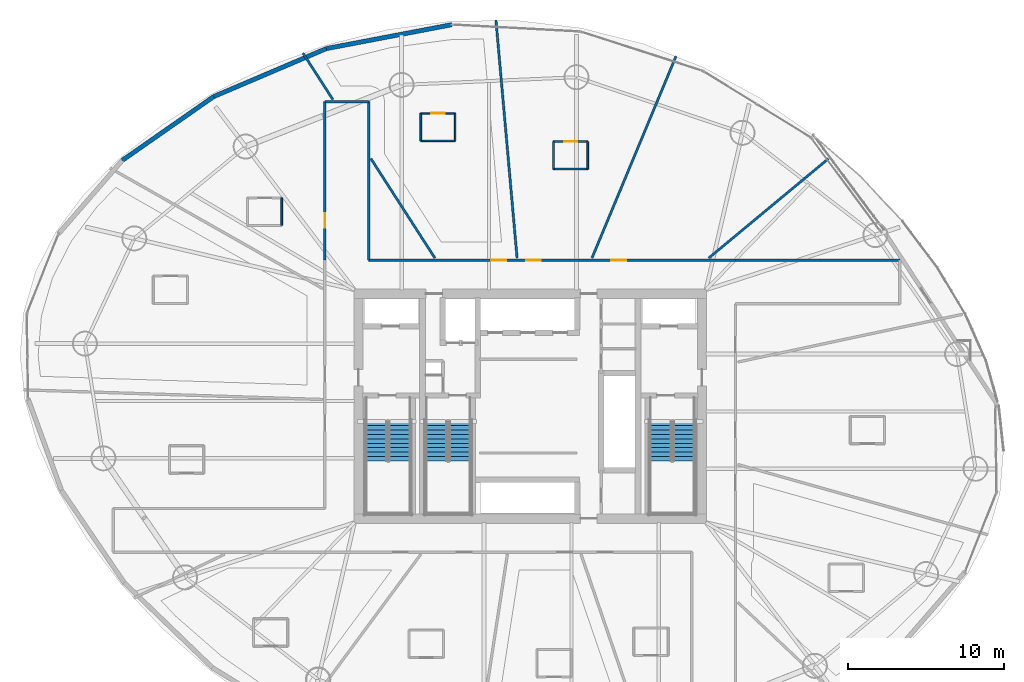
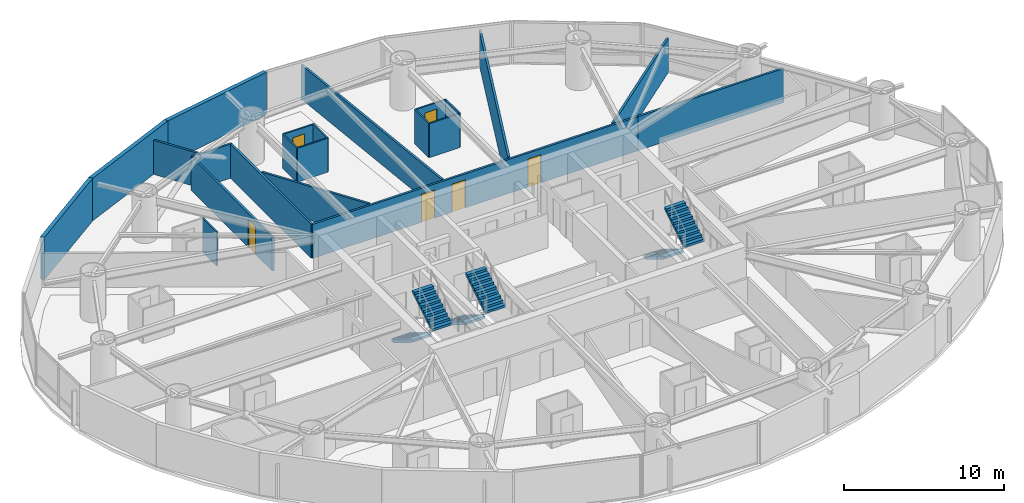
# One storey, part 22 of 26: 22 walls, 6 doors, 6 stair flights, 6 openings, 3 elements without a shape of their own.
"""IFC4 building model written with IfcOpenShell, lengths in metres."""

from ifc_helpers import new_model, si_unit, direction, frame, frame_2d, origin, place, context, subcontext, project, spatial, polyline, rectangle, outline, extrude, material, layer, layer_set, type_object, element, fill, aggregate, save


model = new_model("IFC4")

# Units and contexts
model_context = context("Model", 3, precision=1e-05, world=origin(), true_north=direction((0.0, 1.0)))
body_context = subcontext(model_context, "Body", "Model", "MODEL_VIEW")
ifc_project = project(units=[si_unit("LENGTHUNIT", "METRE"), si_unit("AREAUNIT", "SQUARE_METRE"), si_unit("VOLUMEUNIT", "CUBIC_METRE"), si_unit("PLANEANGLEUNIT", "RADIAN"), si_unit("MASSUNIT", "GRAM", prefix="KILO")], contexts=[model_context])

# Site, building, storey
site_placement = place(None, origin())
site = spatial("IfcSite", under=ifc_project, at=site_placement, CompositionType="ELEMENT")
building_placement = place(site_placement, origin())
building = spatial("IfcBuilding", under=site, at=building_placement, Name="Bramvorn Convention Spire", CompositionType="ELEMENT")
storey_placement = place(building_placement, frame((0.0, 0.0, 76.39990234375)))
storey = spatial("IfcBuildingStorey", under=building, at=storey_placement, Name="L17", CompositionType="ELEMENT", Elevation=76.39990234375)

# Walls
ifc_material_1 = material(Name="Precast Concrete C40/50 with Bronze Terracotta Rainscreen", Category="masonry")
ifc_layer_1 = layer(ifc_material_1, 0.300048828125)
ifc_layer_set_1 = layer_set([ifc_layer_1], Name="Precast Concrete C40/50 with Bronze Terracotta Rainscreen - WL-EXT-BRONZE-300")
wall_type_1 = type_object("IfcWallType", Name="WL-EXT-BRONZE-300", PredefinedType="SOLIDWALL", material=ifc_layer_set_1)
wall_1_placement = place(storey_placement, frame((24.94775390625, 48.904296875, 0.0), z_axis=(0.0, 0.0, 1.0), x_axis=(0.982368629085, 0.186954209872, 0.0)))
element("IfcWall", 1, at=wall_1_placement, inside=storey, type_object=wall_type_1, Name="L17 expressed bronze Gothic lancet pier wall 08", PredefinedType="SOLIDWALL", context=body_context, shape_type="SweptSolid", body=[
    extrude(rectangle(XDim=8.1708984375, YDim=0.280029296875, at=frame_2d((4.08544921875, 0.0))), origin(), (0.0, 0.0, 1.0), 3.25),
])
wall_2_placement = place(storey_placement, frame((17.730224609375, 45.83056640625, 0.0), z_axis=(0.0, 0.0, 1.0), x_axis=(0.92004247014, 0.391818648279, 0.0)))
element("IfcWall", 2, at=wall_2_placement, inside=storey, type_object=wall_type_1, Name="L17 expressed bronze Gothic lancet pier wall 09", PredefinedType="SOLIDWALL", context=body_context, shape_type="SweptSolid", body=[
    extrude(rectangle(XDim=7.8447265625, YDim=0.280029296875, at=frame_2d((3.92236328125, 0.0))), origin(), (0.0, 0.0, 1.0), 3.25),
])
wall_3_placement = place(storey_placement, frame((11.872802734375, 41.742431640625, 0.0), z_axis=(0.0, 0.0, 1.0), x_axis=(0.820024366598, 0.572328610315, 0.0)))
element("IfcWall", 3, at=wall_3_placement, inside=storey, type_object=wall_type_1, Name="L17 expressed bronze Gothic lancet pier wall 10", PredefinedType="SOLIDWALL", context=body_context, shape_type="SweptSolid", body=[
    extrude(rectangle(XDim=7.14306640625, YDim=0.280029296875, at=frame_2d((3.571533203125, 0.0))), origin(), (0.0, 0.0, 1.0), 3.25),
])
ifc_material_2 = material(Name="Lightweight En-Suite & Wet-Wall Partition", Category="gypsum")
ifc_layer_2 = layer(ifc_material_2, 0.110107421875)
ifc_layer_set_2 = layer_set([ifc_layer_2], Name="Lightweight En-Suite & Wet-Wall Partition - WL-PART-110")
wall_type_2 = type_object("IfcWallType", Name="WL-PART-110", PredefinedType="PARTITIONING", material=ifc_layer_set_2)
wall_4_placement = place(storey_placement, frame((39.485595703125, 41.190185546875, 0.0), z_axis=(0.0, 0.0, 1.0), x_axis=(1.0, 0.0, 0.0)))
element("IfcWall", 4, at=wall_4_placement, inside=storey, type_object=wall_type_2, Name="Hotel Suite 1703 en-suite south wall", PredefinedType="PARTITIONING", context=body_context, shape_type="SweptSolid", body=[
    extrude(rectangle(XDim=2.2001953125, YDim=0.110107421875, at=frame_2d((1.10009765625, 0.0))), origin(), (0.0, 0.0, 1.0), 2.60009765625),
])

# Wall, opening, door
wall_5_placement = place(storey_placement, frame((39.485595703125, 42.9501953125, 0.0), z_axis=(0.0, 0.0, 1.0), x_axis=(1.0, 0.0, 0.0)))
wall_5 = element("IfcWall", 5, at=wall_5_placement, inside=storey, type_object=wall_type_2, Name="Hotel Suite 1703 en-suite north wall", PredefinedType="PARTITIONING", context=body_context, shape_type="SweptSolid", body=[
    extrude(rectangle(XDim=2.2001953125, YDim=0.110107421875, at=frame_2d((1.10009765625, 0.0))), origin(), (0.0, 0.0, 1.0), 2.60009765625),
])
opening_1_placement = place(wall_5_placement, frame((0.679931640625, 0.0, 0.0)))
opening_1 = element("IfcOpeningElement", 6, at=opening_1_placement, cuts=wall_5, Name="Opening DI-085", PredefinedType="OPENING", context=body_context, shape_type="SweptSolid", body=[
    extrude(rectangle(XDim=0.85009765625, YDim=2.10009765625, at=frame_2d((0.425048828125, 1.050048828125))), frame((0.0, 0.06494140625, 0.0), z_axis=(0.0, -1.0, 0.0), x_axis=(1.0, 0.0, 0.0)), (0.0, 0.0, 1.0), 0.130126953125),
])
ifc_material_3 = material(Name="En-Suite & Restroom Privacy Door", Category="wood")
door_type_1 = type_object("IfcDoorType", Name="DR-INT-850", OperationType="NOTDEFINED", PredefinedType="DOOR", material=ifc_material_3)
door_1_placement = place(opening_1_placement, origin())
door_1 = element("IfcDoor", 7, at=door_1_placement, inside=storey, type_object=door_type_1, Name="Hotel Suite 1703 En-Suite Bathroom door", OperationType="SINGLE_SWING_LEFT", OverallHeight=2.10009765625, OverallWidth=0.85009765625, PredefinedType="DOOR", context=body_context, shape_type="SweptSolid", body=[
    extrude(rectangle(XDim=0.85009765625, YDim=2.10009765625, at=frame_2d((0.425048828125, 1.050048828125))), frame((0.0, 0.02490234375, 0.0), z_axis=(0.0, -1.0, 0.0), x_axis=(1.0, 0.0, 0.0)), (0.0, 0.0, 1.0), 0.050048828125),
])
fill(opening_1, door_1)

# Walls
for number, where, z_axis, x_axis, name in (
    (8, (39.485595703125, 41.190185546875, 0.0), (0.0, 0.0, 1.0), (0.0, 1.0, 0.0), "Hotel Suite 1703 en-suite west wall"),
    (9, (41.685791015625, 41.190185546875, 0.0), (0.0, 0.0, 1.0), (0.0, 1.0, 0.0), "Hotel Suite 1703 en-suite east wall"),
):
    element("IfcWall", number, at=place(storey_placement, frame(where, z_axis=z_axis, x_axis=x_axis)), inside=storey, type_object=wall_type_2, Name=name, PredefinedType="PARTITIONING", context=body_context, shape_type="SweptSolid", body=[
        extrude(rectangle(XDim=1.760009765625, YDim=0.110107421875, at=frame_2d((0.8798828125, 0.0))), origin(), (0.0, 0.0, 1.0), 2.60009765625),
    ])
wall_6_placement = place(storey_placement, frame((30.98876953125, 42.99267578125, 0.0), z_axis=(0.0, 0.0, 1.0), x_axis=(1.0, 0.0, 0.0)))
element("IfcWall", 10, at=wall_6_placement, inside=storey, type_object=wall_type_2, Name="Hotel Suite 1704 en-suite south wall", PredefinedType="PARTITIONING", context=body_context, shape_type="SweptSolid", body=[
    extrude(rectangle(XDim=2.199951171875, YDim=0.110107421875, at=frame_2d((1.10009765625, 0.0))), origin(), (0.0, 0.0, 1.0), 2.60009765625),
])

# Wall, opening, door
wall_7_placement = place(storey_placement, frame((30.98876953125, 44.752685546875, 0.0), z_axis=(0.0, 0.0, 1.0), x_axis=(1.0, 0.0, 0.0)))
wall_7 = element("IfcWall", 11, at=wall_7_placement, inside=storey, type_object=wall_type_2, Name="Hotel Suite 1704 en-suite north wall", PredefinedType="PARTITIONING", context=body_context, shape_type="SweptSolid", body=[
    extrude(rectangle(XDim=2.199951171875, YDim=0.110107421875, at=frame_2d((1.10009765625, 0.0))), origin(), (0.0, 0.0, 1.0), 2.60009765625),
])
opening_2_placement = place(wall_7_placement, frame((0.679931640625, 0.0, 0.0)))
opening_2 = element("IfcOpeningElement", 12, at=opening_2_placement, cuts=wall_7, Name="Opening DI-085", PredefinedType="OPENING", context=body_context, shape_type="SweptSolid", body=[
    extrude(rectangle(XDim=0.85009765625, YDim=2.10009765625, at=frame_2d((0.425048828125, 1.050048828125))), frame((0.0, 0.06494140625, 0.0), z_axis=(0.0, -1.0, 0.0), x_axis=(1.0, 0.0, 0.0)), (0.0, 0.0, 1.0), 0.130126953125),
])
door_2_placement = place(opening_2_placement, origin())
door_2 = element("IfcDoor", 13, at=door_2_placement, inside=storey, type_object=door_type_1, Name="Hotel Suite 1704 En-Suite Bathroom door", OperationType="SINGLE_SWING_LEFT", OverallHeight=2.10009765625, OverallWidth=0.85009765625, PredefinedType="DOOR", context=body_context, shape_type="SweptSolid", body=[
    extrude(rectangle(XDim=0.85009765625, YDim=2.10009765625, at=frame_2d((0.425048828125, 1.050048828125))), frame((0.0, 0.02490234375, 0.0), z_axis=(0.0, -1.0, 0.0), x_axis=(1.0, 0.0, 0.0)), (0.0, 0.0, 1.0), 0.050048828125),
])
fill(opening_2, door_2)

# Walls
for number, where, z_axis, x_axis, name in (
    (14, (30.98876953125, 42.99267578125, 0.0), (0.0, 0.0, 1.0), (0.0, 1.0, 0.0), "Hotel Suite 1704 en-suite west wall"),
    (15, (33.188720703125, 42.99267578125, 0.0), (0.0, 0.0, 1.0), (0.0, 1.0, 0.0), "Hotel Suite 1704 en-suite east wall"),
    (16, (22.0888671875, 37.57861328125, 0.0), (0.0, 0.0, 1.0), (0.0, 1.0, 0.0), "Hotel Suite 1705 en-suite east wall"),
):
    element("IfcWall", number, at=place(storey_placement, frame(where, z_axis=z_axis, x_axis=x_axis)), inside=storey, type_object=wall_type_2, Name=name, PredefinedType="PARTITIONING", context=body_context, shape_type="SweptSolid", body=[
        extrude(rectangle(XDim=1.760009765625, YDim=0.110107421875, at=frame_2d((0.8798828125, 0.0))), origin(), (0.0, 0.0, 1.0), 2.60009765625),
    ])

# Wall, openings, doors
ifc_material_4 = material(Name="Acoustic Metal-Stud Tenant/Corridor Partition", Category="gypsum")
ifc_layer_3 = layer(ifc_material_4, 0.14990234375)
ifc_layer_set_3 = layer_set([ifc_layer_3], Name="Acoustic Metal-Stud Tenant/Corridor Partition - WL-PART-150")
wall_type_3 = type_object("IfcWallType", Name="WL-PART-150", PredefinedType="PARTITIONING", material=ifc_layer_set_3)
wall_8_placement = place(storey_placement, frame((27.64990234375, 35.35009765625, 0.0), z_axis=(0.0, 0.0, 1.0), x_axis=(1.0, 0.0, 0.0)))
wall_8 = element("IfcWall", 17, at=wall_8_placement, inside=storey, type_object=wall_type_3, Name="L17 North ring corridor wall", PredefinedType="PARTITIONING", context=body_context, shape_type="SweptSolid", body=[
    extrude(rectangle(XDim=23.5, YDim=0.14990234375, at=frame_2d((11.75, 0.0))), origin(), (0.0, 0.0, 1.0), 2.60009765625),
])
opening_3_placement = place(wall_8_placement, frame((15.552978515625, 0.0, 0.0)))
opening_3 = element("IfcOpeningElement", 18, at=opening_3_placement, cuts=wall_8, Name="Opening DH-095", PredefinedType="OPENING", context=body_context, shape_type="SweptSolid", body=[
    extrude(rectangle(XDim=0.949951171875, YDim=2.14990234375, at=frame_2d((0.47509765625, 1.074951171875))), frame((0.0, 0.0849609375, 0.0), z_axis=(0.0, -1.0, 0.0), x_axis=(1.0, 0.0, 0.0)), (0.0, 0.0, 1.0), 0.169921875),
])
opening_4_placement = place(wall_8_placement, frame((10.081787109375, 0.0, 0.0)))
opening_4 = element("IfcOpeningElement", 19, at=opening_4_placement, cuts=wall_8, Name="Opening DH-095", PredefinedType="OPENING", context=body_context, shape_type="SweptSolid", body=[
    extrude(rectangle(XDim=0.949951171875, YDim=2.14990234375, at=frame_2d((0.47509765625, 1.074951171875))), frame((0.0, 0.0849609375, 0.0), z_axis=(0.0, -1.0, 0.0), x_axis=(1.0, 0.0, 0.0)), (0.0, 0.0, 1.0), 0.169921875),
])
opening_5_placement = place(wall_8_placement, frame((7.866455078125, 0.0, 0.0)))
opening_5 = element("IfcOpeningElement", 20, at=opening_5_placement, cuts=wall_8, Name="Opening DH-095", PredefinedType="OPENING", context=body_context, shape_type="SweptSolid", body=[
    extrude(rectangle(XDim=0.949951171875, YDim=2.14990234375, at=frame_2d((0.47509765625, 1.074951171875))), frame((0.0, 0.0849609375, 0.0), z_axis=(0.0, -1.0, 0.0), x_axis=(1.0, 0.0, 0.0)), (0.0, 0.0, 1.0), 0.169921875),
])
ifc_material_5 = material(Name="Solid-Core Acoustic Guestroom Entry Door", Category="wood")
door_type_2 = type_object("IfcDoorType", Name="DR-HOTEL-950", OperationType="NOTDEFINED", PredefinedType="DOOR", material=ifc_material_5)
door_3_placement = place(opening_3_placement, origin())
door_3 = element("IfcDoor", 21, at=door_3_placement, inside=storey, type_object=door_type_2, Name="L17 Hospitality Lounge 1 door", OperationType="SINGLE_SWING_LEFT", OverallHeight=2.14990234375, OverallWidth=0.949951171875, PredefinedType="DOOR", context=body_context, shape_type="SweptSolid", body=[
    extrude(rectangle(XDim=0.949951171875, YDim=2.14990234375, at=frame_2d((0.47509765625, 1.074951171875))), frame((0.0, 0.02490234375, 0.0), z_axis=(0.0, -1.0, 0.0), x_axis=(1.0, 0.0, 0.0)), (0.0, 0.0, 1.0), 0.050048828125),
])
fill(opening_3, door_3)
door_4_placement = place(opening_4_placement, origin())
door_4 = element("IfcDoor", 22, at=door_4_placement, inside=storey, type_object=door_type_2, Name="Hotel Suite 1703 entry door", OperationType="SINGLE_SWING_RIGHT", OverallHeight=2.14990234375, OverallWidth=0.949951171875, PredefinedType="DOOR", context=body_context, shape_type="SweptSolid", body=[
    extrude(rectangle(XDim=0.949951171875, YDim=2.14990234375, at=frame_2d((0.47509765625, 1.074951171875))), frame((0.0, 0.02490234375, 0.0), z_axis=(0.0, -1.0, 0.0), x_axis=(1.0, 0.0, 0.0)), (0.0, 0.0, 1.0), 0.050048828125),
])
fill(opening_4, door_4)
door_5_placement = place(opening_5_placement, origin())
door_5 = element("IfcDoor", 23, at=door_5_placement, inside=storey, type_object=door_type_2, Name="Hotel Suite 1704 entry door", OperationType="SINGLE_SWING_LEFT", OverallHeight=2.14990234375, OverallWidth=0.949951171875, PredefinedType="DOOR", context=body_context, shape_type="SweptSolid", body=[
    extrude(rectangle(XDim=0.949951171875, YDim=2.14990234375, at=frame_2d((0.47509765625, 1.074951171875))), frame((0.0, 0.02490234375, 0.0), z_axis=(0.0, -1.0, 0.0), x_axis=(1.0, 0.0, 0.0)), (0.0, 0.0, 1.0), 0.050048828125),
])
fill(opening_5, door_5)

# Wall
wall_9_placement = place(storey_placement, frame((51.14990234375, 35.35009765625, 0.0), z_axis=(0.0, 0.0, 1.0), x_axis=(1.0, 0.0, 0.0)))
element("IfcWall", 24, at=wall_9_placement, inside=storey, type_object=wall_type_3, Name="L17 NE pinwheel wing north wall", PredefinedType="PARTITIONING", context=body_context, shape_type="SweptSolid", body=[
    extrude(rectangle(XDim=10.5263671875, YDim=0.14990234375, at=frame_2d((5.26318359375, 0.0))), origin(), (0.0, 0.0, 1.0), 2.60009765625),
])

# Wall, opening, door
wall_10_placement = place(storey_placement, frame((24.85009765625, 35.35009765625, 0.0), z_axis=(0.0, 0.0, 1.0), x_axis=(0.0, 1.0, 0.0)))
wall_10 = element("IfcWall", 25, at=wall_10_placement, inside=storey, type_object=wall_type_3, Name="L17 NW pinwheel wing west wall", PredefinedType="PARTITIONING", context=body_context, shape_type="SweptSolid", body=[
    extrude(rectangle(XDim=10.14990234375, YDim=0.14990234375, at=frame_2d((5.074951171875, 0.0))), origin(), (0.0, 0.0, 1.0), 2.60009765625),
])
opening_6_placement = place(wall_10_placement, frame((2.0625, 0.0, 0.0)))
opening_6 = element("IfcOpeningElement", 26, at=opening_6_placement, cuts=wall_10, Name="Opening DH-095", PredefinedType="OPENING", context=body_context, shape_type="SweptSolid", body=[
    extrude(rectangle(XDim=0.949951171875, YDim=2.14990234375, at=frame_2d((0.47509765625, 1.074951171875))), frame((0.0, 0.0849609375, 0.0), z_axis=(0.0, -1.0, 0.0), x_axis=(1.0, 0.0, 0.0)), (0.0, 0.0, 1.0), 0.169921875),
])
door_6_placement = place(opening_6_placement, origin())
door_6 = element("IfcDoor", 27, at=door_6_placement, inside=storey, type_object=door_type_2, Name="Hotel Suite 1705 entry door", OperationType="SINGLE_SWING_LEFT", OverallHeight=2.14990234375, OverallWidth=0.949951171875, PredefinedType="DOOR", context=body_context, shape_type="SweptSolid", body=[
    extrude(rectangle(XDim=0.949951171875, YDim=2.14990234375, at=frame_2d((0.47509765625, 1.074951171875))), frame((0.0, 0.02490234375, 0.0), z_axis=(0.0, -1.0, 0.0), x_axis=(1.0, 0.0, 0.0)), (0.0, 0.0, 1.0), 0.050048828125),
])
fill(opening_6, door_6)

# Walls
wall_11_placement = place(storey_placement, frame((27.64990234375, 35.35009765625, 0.0), z_axis=(0.0, 0.0, 1.0), x_axis=(0.0, 1.0, 0.0)))
element("IfcWall", 28, at=wall_11_placement, inside=storey, type_object=wall_type_3, Name="L17 NW pinwheel wing east wall", PredefinedType="PARTITIONING", context=body_context, shape_type="SweptSolid", body=[
    extrude(rectangle(XDim=10.14990234375, YDim=0.14990234375, at=frame_2d((5.074951171875, 0.0))), origin(), (0.0, 0.0, 1.0), 2.60009765625),
])
wall_12_placement = place(storey_placement, frame((24.85009765625, 45.5, 0.0), z_axis=(0.0, 0.0, 1.0), x_axis=(1.0, 0.0, 0.0)))
element("IfcWall", 29, at=wall_12_placement, inside=storey, type_object=wall_type_3, Name="L17 NW pinwheel end wall", PredefinedType="PARTITIONING", context=body_context, shape_type="SweptSolid", body=[
    extrude(rectangle(XDim=2.7998046875, YDim=0.14990234375, at=frame_2d((1.39990234375, 0.0))), origin(), (0.0, 0.0, 1.0), 2.60009765625),
])
wall_13_placement = place(storey_placement, frame((49.433837890625, 35.489990234375, 0.0), z_axis=(0.0, 0.0, 1.0), x_axis=(0.769487375521, 0.638662022445, 0.0)))
element("IfcWall", 30, at=wall_13_placement, inside=storey, type_object=wall_type_3, Name="L17 Guestroom demising wall 2", PredefinedType="PARTITIONING", context=body_context, shape_type="SweptSolid", body=[
    extrude(rectangle(XDim=9.96142578125, YDim=0.14990234375, at=frame_2d((4.980712890625, 0.0))), origin(), (0.0, 0.0, 1.0), 2.60009765625),
])
wall_14_placement = place(storey_placement, frame((41.953369140625, 35.489990234375, 0.0), z_axis=(0.0, 0.0, 1.0), x_axis=(0.384537444803, 0.923109394137, 0.0)))
element("IfcWall", 31, at=wall_14_placement, inside=storey, type_object=wall_type_3, Name="L17 Guestroom demising wall 3", PredefinedType="PARTITIONING", context=body_context, shape_type="SweptSolid", body=[
    extrude(rectangle(XDim=14.0126953125, YDim=0.14990234375, at=frame_2d((7.00634765625, 0.0))), origin(), (0.0, 0.0, 1.0), 2.60009765625),
])
wall_15_placement = place(storey_placement, frame((37.156982421875, 35.489990234375, 0.0), z_axis=(0.0, 0.0, 1.0), x_axis=(-0.088499322769, 0.996076236977, 0.0)))
element("IfcWall", 32, at=wall_15_placement, inside=storey, type_object=wall_type_3, Name="L17 Guestroom demising wall 4", PredefinedType="PARTITIONING", context=body_context, shape_type="SweptSolid", body=[
    extrude(rectangle(XDim=15.296875, YDim=0.14990234375, at=frame_2d((7.6484375, 0.0))), origin(), (0.0, 0.0, 1.0), 2.60009765625),
])
wall_16_placement = place(storey_placement, frame((31.891357421875, 35.489990234375, 0.0), z_axis=(0.0, 0.0, 1.0), x_axis=(-0.541252535473, 0.840860091123, 0.0)))
element("IfcWall", 33, at=wall_16_placement, inside=storey, type_object=wall_type_3, Name="L17 Guestroom demising wall 5", PredefinedType="PARTITIONING", context=body_context, shape_type="SweptSolid", body=[
    extrude(rectangle(XDim=7.577392578125, YDim=0.14990234375, at=frame_2d((3.78857421875, 0.0))), origin(), (0.0, 0.0, 1.0), 2.60009765625),
])
wall_17_placement = place(storey_placement, frame((25.35791015625, 45.639892578125, 0.0), z_axis=(0.0, 0.0, 1.0), x_axis=(-0.541265574581, 0.840851697848, 0.0)))
element("IfcWall", 34, at=wall_17_placement, inside=storey, type_object=wall_type_3, Name="L17 Guestroom demising wall 5", PredefinedType="PARTITIONING", context=body_context, shape_type="SweptSolid", body=[
    extrude(rectangle(XDim=3.545654296875, YDim=0.14990234375, at=frame_2d((1.77294921875, 0.0))), origin(), (0.0, 0.0, 1.0), 2.60009765625),
])

# Stair, stair flights
ifc_material_6 = material(Name="Concrete C40/50 Precast Stair", Category="concrete")
stair_type = type_object("IfcStairType", Name="ST-TOWER-1550", PredefinedType="HALF_TURN_STAIR", material=ifc_material_6)
stair_1_placement = place(storey_placement, origin())
stair_1 = element("IfcStair", 35, at=stair_1_placement, inside=storey, type_object=stair_type, Name="L17 Protected Exit Stair ST1", PredefinedType="HALF_TURN_STAIR")
ifc_material_7 = material(Name="Concrete C40/50 Precast Stair Flight", Category="concrete")
stair_flight_type = type_object("IfcStairFlightType", Name="STF-TOWER-1550", PredefinedType="STRAIGHT", material=ifc_material_7)
stair_flight_1_placement = place(storey_placement, frame((28.155029296875, 25.050048828125, 0.0), z_axis=(0.0, 0.0, 1.0), x_axis=(0.0, -1.0, 0.0)))
stair_flight_1 = element("IfcStairFlight", 36, at=stair_flight_1_placement, type_object=stair_flight_type, Name="ST1 flight 1", NumberOfRisers=10, NumberOfTreads=9, PredefinedType="STRAIGHT", RiserHeight=0.175, TreadLength=0.285, context=body_context, shape_type="SweptSolid", body=[
    extrude(outline(polyline([(0.0, 0.0), (0.0, 0.175048828125), (0.284912109375, 0.175048828125), (0.284912109375, 0.35009765625), (0.570068359375, 0.35009765625), (0.570068359375, 0.52490234375), (0.85498046875, 0.52490234375), (0.85498046875, 0.699951171875), (1.139892578125, 0.699951171875), (1.139892578125, 0.875), (1.425048828125, 0.875), (1.425048828125, 1.050048828125), (1.7099609375, 1.050048828125), (1.7099609375, 1.22509765625), (1.9951171875, 1.22509765625), (1.9951171875, 1.39990234375), (2.280029296875, 1.39990234375), (2.280029296875, 1.574951171875), (2.56494140625, 1.574951171875), (2.56494140625, 1.75), (2.56494140625, 1.399169921875), (0.286376953125, 0.0), (0.0, 0.0)])), frame((0.0, 0.705078125, 0.0), z_axis=(0.0, -1.0, 0.0), x_axis=(1.0, 0.0, 0.0)), (0.0, 0.0, 1.0), 1.409912109375),
])
stair_flight_2_placement = place(storey_placement, frame((29.64501953125, 22.485107421875, 1.75), z_axis=(0.0, 0.0, 1.0), x_axis=(0.0, 1.0, 0.0)))
stair_flight_2 = element("IfcStairFlight", 37, at=stair_flight_2_placement, type_object=stair_flight_type, Name="ST1 flight 2", NumberOfRisers=10, NumberOfTreads=9, PredefinedType="STRAIGHT", RiserHeight=0.175, TreadLength=0.285, context=body_context, shape_type="SweptSolid", body=[
    extrude(outline(polyline([(0.0, 0.0), (0.0, 0.175048828125), (0.284912109375, 0.175048828125), (0.284912109375, 0.35009765625), (0.570068359375, 0.35009765625), (0.570068359375, 0.52490234375), (0.85498046875, 0.52490234375), (0.85498046875, 0.699951171875), (1.139892578125, 0.699951171875), (1.139892578125, 0.875), (1.425048828125, 0.875), (1.425048828125, 1.050048828125), (1.7099609375, 1.050048828125), (1.7099609375, 1.22509765625), (1.9951171875, 1.22509765625), (1.9951171875, 1.39990234375), (2.280029296875, 1.39990234375), (2.280029296875, 1.574951171875), (2.56494140625, 1.574951171875), (2.56494140625, 1.75), (2.56494140625, 1.399169921875), (0.286376953125, 0.0), (0.0, 0.0)])), frame((0.0, 0.705078125, 0.0), z_axis=(0.0, -1.0, 0.0), x_axis=(1.0, 0.0, 0.0)), (0.0, 0.0, 1.0), 1.409912109375),
])
aggregate(stair_1, [stair_flight_1, stair_flight_2])

stair_2_placement = place(storey_placement, origin())
stair_2 = element("IfcStair", 38, at=stair_2_placement, inside=storey, type_object=stair_type, Name="L17 Protected Exit Stair ST2", PredefinedType="HALF_TURN_STAIR")
stair_flight_3_placement = place(storey_placement, frame((46.35498046875, 25.050048828125, 0.0), z_axis=(0.0, 0.0, 1.0), x_axis=(0.0, -1.0, 0.0)))
stair_flight_3 = element("IfcStairFlight", 39, at=stair_flight_3_placement, type_object=stair_flight_type, Name="ST2 flight 1", NumberOfRisers=10, NumberOfTreads=9, PredefinedType="STRAIGHT", RiserHeight=0.175, TreadLength=0.285, context=body_context, shape_type="SweptSolid", body=[
    extrude(outline(polyline([(0.0, 0.0), (0.0, 0.175048828125), (0.284912109375, 0.175048828125), (0.284912109375, 0.35009765625), (0.570068359375, 0.35009765625), (0.570068359375, 0.52490234375), (0.85498046875, 0.52490234375), (0.85498046875, 0.699951171875), (1.139892578125, 0.699951171875), (1.139892578125, 0.875), (1.425048828125, 0.875), (1.425048828125, 1.050048828125), (1.7099609375, 1.050048828125), (1.7099609375, 1.22509765625), (1.9951171875, 1.22509765625), (1.9951171875, 1.39990234375), (2.280029296875, 1.39990234375), (2.280029296875, 1.574951171875), (2.56494140625, 1.574951171875), (2.56494140625, 1.75), (2.56494140625, 1.399169921875), (0.286376953125, 0.0), (0.0, 0.0)])), frame((0.0, 0.705078125, 0.0), z_axis=(0.0, -1.0, 0.0), x_axis=(1.0, 0.0, 0.0)), (0.0, 0.0, 1.0), 1.409912109375),
])
stair_flight_4_placement = place(storey_placement, frame((47.844970703125, 22.485107421875, 1.75), z_axis=(0.0, 0.0, 1.0), x_axis=(0.0, 1.0, 0.0)))
stair_flight_4 = element("IfcStairFlight", 40, at=stair_flight_4_placement, type_object=stair_flight_type, Name="ST2 flight 2", NumberOfRisers=10, NumberOfTreads=9, PredefinedType="STRAIGHT", RiserHeight=0.175, TreadLength=0.285, context=body_context, shape_type="SweptSolid", body=[
    extrude(outline(polyline([(0.0, 0.0), (0.0, 0.175048828125), (0.284912109375, 0.175048828125), (0.284912109375, 0.35009765625), (0.570068359375, 0.35009765625), (0.570068359375, 0.52490234375), (0.85498046875, 0.52490234375), (0.85498046875, 0.699951171875), (1.139892578125, 0.699951171875), (1.139892578125, 0.875), (1.425048828125, 0.875), (1.425048828125, 1.050048828125), (1.7099609375, 1.050048828125), (1.7099609375, 1.22509765625), (1.9951171875, 1.22509765625), (1.9951171875, 1.39990234375), (2.280029296875, 1.39990234375), (2.280029296875, 1.574951171875), (2.56494140625, 1.574951171875), (2.56494140625, 1.75), (2.56494140625, 1.399169921875), (0.286376953125, 0.0), (0.0, 0.0)])), frame((0.0, 0.705078125, 0.0), z_axis=(0.0, -1.0, 0.0), x_axis=(1.0, 0.0, 0.0)), (0.0, 0.0, 1.0), 1.409912109375),
])
aggregate(stair_2, [stair_flight_3, stair_flight_4])

stair_3_placement = place(storey_placement, origin())
stair_3 = element("IfcStair", 41, at=stair_3_placement, inside=storey, type_object=stair_type, Name="L17 Protected Exit Stair ST3", PredefinedType="HALF_TURN_STAIR")
stair_flight_5_placement = place(storey_placement, frame((32.0048828125, 25.050048828125, 0.0), z_axis=(0.0, 0.0, 1.0), x_axis=(0.0, -1.0, 0.0)))
stair_flight_5 = element("IfcStairFlight", 42, at=stair_flight_5_placement, type_object=stair_flight_type, Name="ST3 flight 1", NumberOfRisers=10, NumberOfTreads=9, PredefinedType="STRAIGHT", RiserHeight=0.175, TreadLength=0.285, context=body_context, shape_type="SweptSolid", body=[
    extrude(outline(polyline([(0.0, 0.0), (0.0, 0.175048828125), (0.284912109375, 0.175048828125), (0.284912109375, 0.35009765625), (0.570068359375, 0.35009765625), (0.570068359375, 0.52490234375), (0.85498046875, 0.52490234375), (0.85498046875, 0.699951171875), (1.139892578125, 0.699951171875), (1.139892578125, 0.875), (1.425048828125, 0.875), (1.425048828125, 1.050048828125), (1.7099609375, 1.050048828125), (1.7099609375, 1.22509765625), (1.9951171875, 1.22509765625), (1.9951171875, 1.39990234375), (2.280029296875, 1.39990234375), (2.280029296875, 1.574951171875), (2.56494140625, 1.574951171875), (2.56494140625, 1.75), (2.56494140625, 1.399169921875), (0.286376953125, 0.0), (0.0, 0.0)])), frame((0.0, 0.705078125, 0.0), z_axis=(0.0, -1.0, 0.0), x_axis=(1.0, 0.0, 0.0)), (0.0, 0.0, 1.0), 1.409912109375),
])
stair_flight_6_placement = place(storey_placement, frame((33.4951171875, 22.485107421875, 1.75), z_axis=(0.0, 0.0, 1.0), x_axis=(0.0, 1.0, 0.0)))
stair_flight_6 = element("IfcStairFlight", 43, at=stair_flight_6_placement, type_object=stair_flight_type, Name="ST3 flight 2", NumberOfRisers=10, NumberOfTreads=9, PredefinedType="STRAIGHT", RiserHeight=0.175, TreadLength=0.285, context=body_context, shape_type="SweptSolid", body=[
    extrude(outline(polyline([(0.0, 0.0), (0.0, 0.175048828125), (0.284912109375, 0.175048828125), (0.284912109375, 0.35009765625), (0.570068359375, 0.35009765625), (0.570068359375, 0.52490234375), (0.85498046875, 0.52490234375), (0.85498046875, 0.699951171875), (1.139892578125, 0.699951171875), (1.139892578125, 0.875), (1.425048828125, 0.875), (1.425048828125, 1.050048828125), (1.7099609375, 1.050048828125), (1.7099609375, 1.22509765625), (1.9951171875, 1.22509765625), (1.9951171875, 1.39990234375), (2.280029296875, 1.39990234375), (2.280029296875, 1.574951171875), (2.56494140625, 1.574951171875), (2.56494140625, 1.75), (2.56494140625, 1.399169921875), (0.286376953125, 0.0), (0.0, 0.0)])), frame((0.0, 0.705078125, 0.0), z_axis=(0.0, -1.0, 0.0), x_axis=(1.0, 0.0, 0.0)), (0.0, 0.0, 1.0), 1.409912109375),
])
aggregate(stair_3, [stair_flight_5, stair_flight_6])

save(model, "model.ifc")
